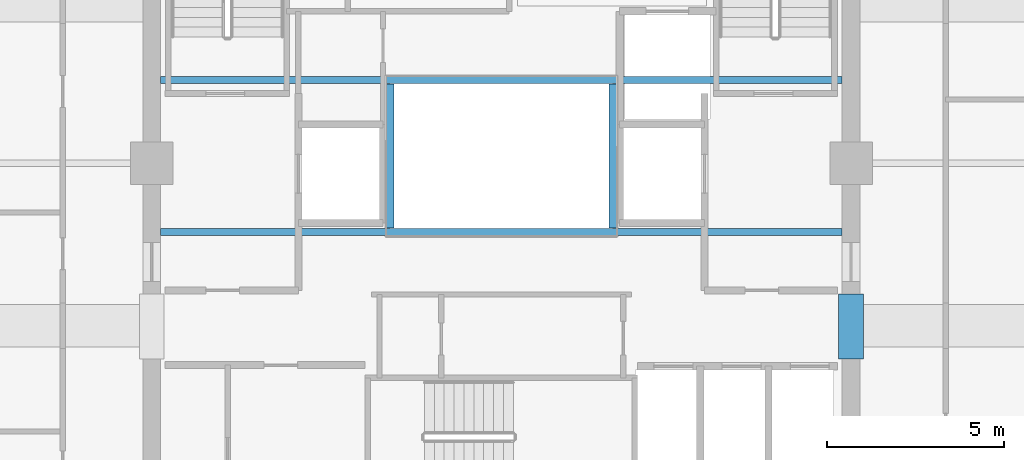
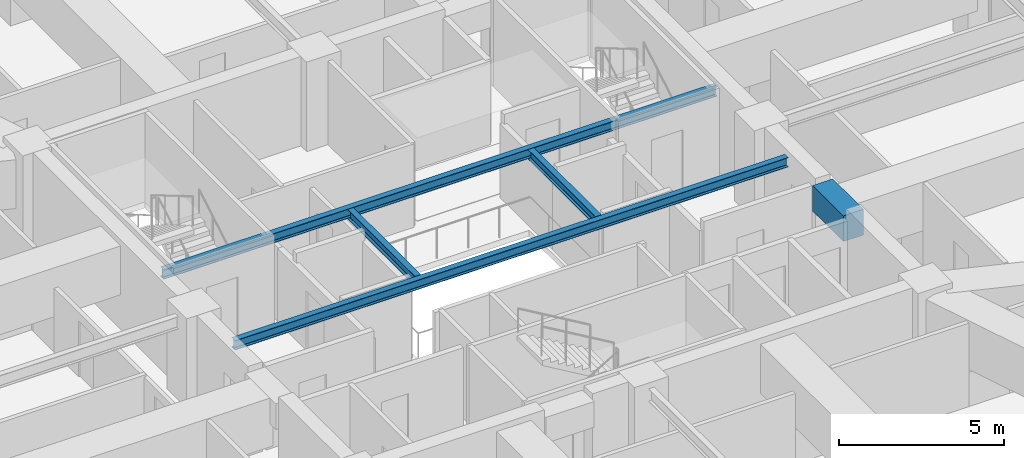
# One storey, part 11 of 37: 5 beams.
"""IFC4 building model written with IfcOpenShell, lengths in metres."""

from ifc_helpers import new_model, si_unit, direction, frame, origin, origin_2d, place, context, subcontext, project, spatial, rectangle, i_section, extrude, material, material_profile, profile_set, type_object, element, save


model = new_model("IFC4")

# Units and contexts
model_context = context("Model", 3, precision=1e-05, world=origin(), true_north=direction((0.0, 1.0)))
body_context = subcontext(model_context, "Body", "Model", "MODEL_VIEW")
ifc_project = project(units=[si_unit("LENGTHUNIT", "METRE"), si_unit("AREAUNIT", "SQUARE_METRE"), si_unit("VOLUMEUNIT", "CUBIC_METRE"), si_unit("PLANEANGLEUNIT", "RADIAN"), si_unit("MASSUNIT", "GRAM", prefix="KILO")], contexts=[model_context])

# Site, building, storey
site_placement = place(None, origin())
site = spatial("IfcSite", under=ifc_project, at=site_placement, CompositionType="ELEMENT")
building_placement = place(site_placement, origin())
building = spatial("IfcBuilding", under=site, at=building_placement, Name="Kolvaren Belvedere", CompositionType="ELEMENT")
storey_placement = place(building_placement, frame((0.0, 0.0, 186.60009765625)))
storey = spatial("IfcBuildingStorey", under=building, at=storey_placement, Name="L54", CompositionType="ELEMENT", Elevation=186.60009765625)

# Beams
ifc_material_1 = material(Name="Structural steel ASTM A992 Grade 50", Category="steel")
ifc_material_profile_1 = material_profile(ifc_material_1, i_section(OverallWidth=0.2041015625, OverallDepth=0.35009765625, WebThickness=0.008544921875, FlangeThickness=0.01513671875, FilletRadius=0.013916015625, at=origin_2d()), Name="W14X48")
ifc_profile_set_1 = profile_set([ifc_material_profile_1], Name="Structural steel ASTM A992 Grade 50")
beam_type_1 = type_object("IfcBeamType", Name="BM-ATRIUM-W14X48", PredefinedType="BEAM", material=ifc_profile_set_1)
for number, where, z_axis, x_axis, name in (
    (1, (-9.64990234375, -1.949951171875, 2.90478515625), (1.0, 0.0, 0.0), (0.0, 1.0, 0.0), "L54 Central Atrium South Girder AS"),
    (2, (-9.64990234375, 2.35009765625, 2.90478515625), (1.0, 0.0, 0.0), (0.0, 1.0, 0.0), "L54 Central Atrium North Girder AN"),
):
    element("IfcBeam", number, at=place(storey_placement, frame(where, z_axis=z_axis, x_axis=x_axis)), inside=storey, type_object=beam_type_1, Name=name, PredefinedType="BEAM", context=body_context, shape_type="SweptSolid", body=[
        extrude(i_section(OverallWidth=0.2041015625, OverallDepth=0.35009765625, WebThickness=0.008544921875, FlangeThickness=0.01513671875, FilletRadius=0.013916015625, at=origin_2d()), origin(), (0.0, 0.0, 1.0), 19.2998046875),
    ])
for number, where, z_axis, x_axis, name in (
    (3, (-3.14990234375, -1.840087890625, 2.90478515625), (0.0, 1.0, 0.0), (-1.0, 0.0, 0.0), "L54 Central Atrium West Edge Beam AW"),
    (4, (3.14990234375, -1.840087890625, 2.90478515625), (0.0, 1.0, 0.0), (-1.0, 0.0, 0.0), "L54 Central Atrium East Edge Beam AE"),
):
    element("IfcBeam", number, at=place(storey_placement, frame(where, z_axis=z_axis, x_axis=x_axis)), inside=storey, type_object=beam_type_1, Name=name, PredefinedType="BEAM", context=body_context, shape_type="SweptSolid", body=[
        extrude(i_section(OverallWidth=0.2041015625, OverallDepth=0.35009765625, WebThickness=0.008544921875, FlangeThickness=0.01513671875, FilletRadius=0.013916015625, at=origin_2d()), origin(), (0.0, 0.0, 1.0), 4.080078125),
    ])
ifc_material_2 = material(Name="Concrete C60/75", Category="concrete")
ifc_material_profile_2 = material_profile(ifc_material_2, rectangle(XDim=0.699951171875, YDim=0.949951171875, at=origin_2d()), Name="RC 700X950")
ifc_profile_set_2 = profile_set([ifc_material_profile_2], Name="Concrete C60/75")
beam_type_2 = type_object("IfcBeamType", Name="BM-LINT-950", PredefinedType="LINTEL", material=ifc_profile_set_2)
beam_placement = place(storey_placement, frame((9.89990234375, -5.550048828125, 2.60498046875), z_axis=(0.0, 1.0, 0.0), x_axis=(-1.0, 0.0, 0.0)))
element("IfcBeam", 5, at=beam_placement, inside=storey, type_object=beam_type_2, Name="L54 East Core Coupling Lintel", PredefinedType="LINTEL", context=body_context, shape_type="SweptSolid", body=[
    extrude(rectangle(XDim=0.699951171875, YDim=0.949951171875, at=origin_2d()), origin(), (0.0, 0.0, 1.0), 1.85009765625),
])

save(model, "model.ifc")
